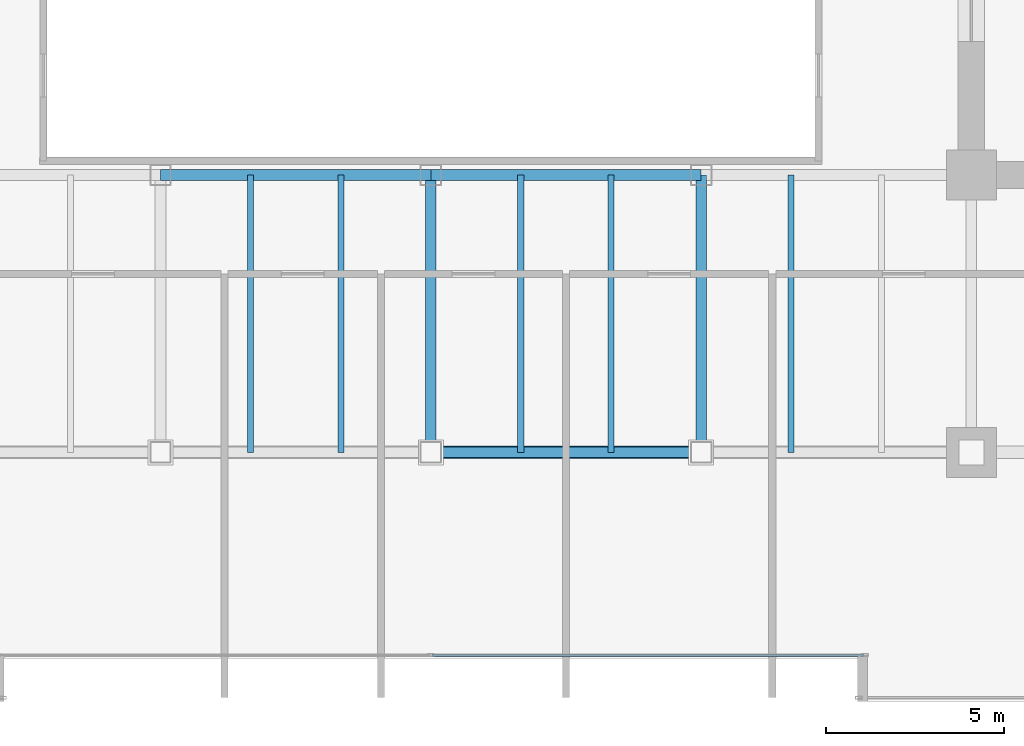
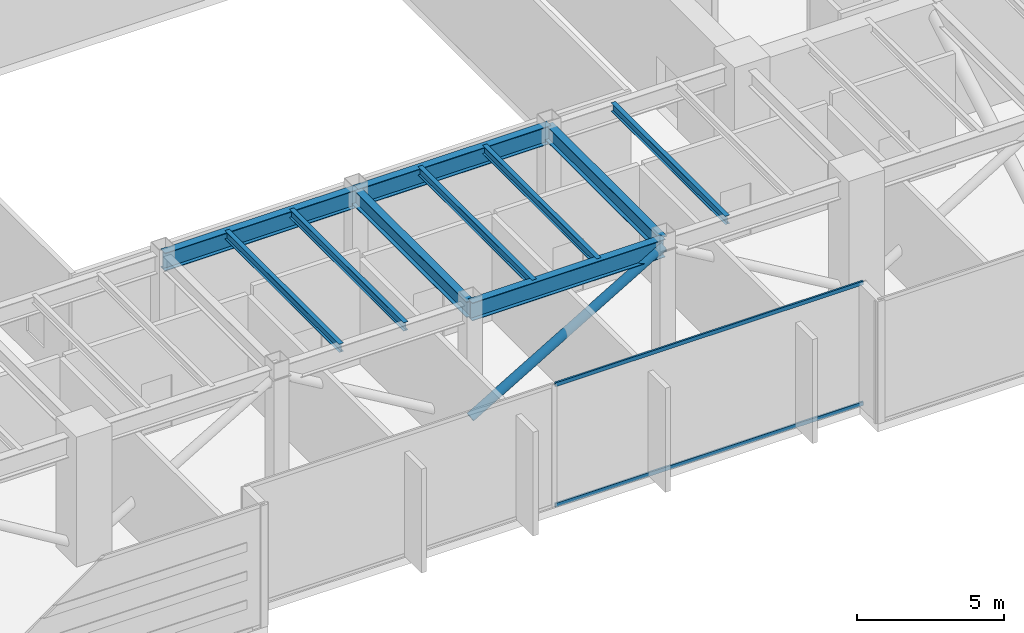
# One storey, part 9 of 38: 10 beams, 3 members, 1 element without a shape of its own.
"""IFC4 building model written with IfcOpenShell, lengths in metres."""

import ifcopenshell
import ifcopenshell.guid

model = None  # the IFC model being written
_history = None  # IfcOwnerHistory: only IFC2X3 demands one
_inside = {}  # id of a spatial element -> (the spatial element, [elements in it])
_under = {}  # id of a project, library or spatial element -> (it, [spatial elements below it])
_declared = {}  # id of a project -> (the project, [libraries it declares])
_typed = {}  # id of a type object -> (the type object, [elements of that type])
_made_of = {}  # id of a material, layer set ... -> (it, [elements and type objects made of it])


def new_model(schema):
    """Start an empty IFC model of exactly this schema.

    Asked for "IFC4X3", IfcOpenShell would pick the latest addendum, in which some entities
    have other attributes; the version numbers below select the first issue.
    IFC2X3 requires an IfcOwnerHistory on every rooted entity: one is made here for all.
    """
    global model, _history
    if schema == "IFC4X3":
        model = ifcopenshell.file(schema_version=(4, 3, 0, 0))
    else:
        model = ifcopenshell.file(schema=schema)
    _inside.clear()
    _under.clear()
    _declared.clear()
    _typed.clear()
    _made_of.clear()
    _history = None
    if model.schema == "IFC2X3":
        org = make("IfcOrganization", Name="unknown")
        user = make(
            "IfcPersonAndOrganization",
            ThePerson=make("IfcPerson", FamilyName="unknown"),
            TheOrganization=org,
        )
        app = make(
            "IfcApplication",
            ApplicationDeveloper=org,
            Version="unknown",
            ApplicationFullName="unknown",
            ApplicationIdentifier="unknown",
        )
        _history = make(
            "IfcOwnerHistory",
            OwningUser=user,
            OwningApplication=app,
            ChangeAction="ADDED",
            CreationDate=0,
        )
    return model


def make(cls, **values):
    """One entity of the class cls with the attributes given. An attribute that is None is left unset."""
    return model.create_entity(
        cls, **{name: value for name, value in values.items() if value is not None}
    )


def rooted(cls, **values):
    """An entity with a GlobalId (a new one), such as an element, a storey or a relation."""
    return make(cls, GlobalId=ifcopenshell.guid.new(), OwnerHistory=_history, **values)


def si_unit(unit_type, name, prefix=None):
    """IfcSIUnit, for example si_unit("LENGTHUNIT", "METRE", prefix="MILLI")."""
    return make("IfcSIUnit", UnitType=unit_type, Prefix=prefix, Name=name)


def assignment(units):
    """IfcUnitAssignment: the units of a project."""
    return None if units is None else make("IfcUnitAssignment", Units=units)


def point(xyz):
    """IfcCartesianPoint."""
    return None if xyz is None else make("IfcCartesianPoint", Coordinates=xyz)


def direction(xyz):
    """IfcDirection."""
    return None if xyz is None else make("IfcDirection", DirectionRatios=xyz)


def frame(location, z_axis=None, x_axis=None):
    """IfcAxis2Placement3D, a coordinate frame: its origin and axes. An axis left out is left unset."""
    return make(
        "IfcAxis2Placement3D",
        Location=point(location),
        Axis=direction(z_axis),
        RefDirection=direction(x_axis),
    )


def frame_2d(location, x_axis=None):
    """IfcAxis2Placement2D, a coordinate frame in the plane: its origin and x axis."""
    return make(
        "IfcAxis2Placement2D", Location=point(location), RefDirection=direction(x_axis)
    )


def origin():
    """The frame at (0, 0, 0) with its axes left unset."""
    return frame((0.0, 0.0, 0.0))


def origin_2d():
    """The frame at (0, 0) in the plane with its x axis left unset."""
    return frame_2d((0.0, 0.0))


def place(relative_to, where):
    """IfcLocalPlacement: puts the frame where relative to a parent placement (None: the world)."""
    return make(
        "IfcLocalPlacement", PlacementRelTo=relative_to, RelativePlacement=where
    )


def context(
    kind, dimensions, precision=None, world=None, true_north=None, identifier=None
):
    """IfcGeometricRepresentationContext, for example the 3D "Model" context."""
    return make(
        "IfcGeometricRepresentationContext",
        ContextIdentifier=identifier,
        ContextType=kind,
        CoordinateSpaceDimension=dimensions,
        Precision=precision,
        WorldCoordinateSystem=world,
        TrueNorth=true_north,
    )


def subcontext(parent, identifier, kind, view, scale=None):
    """IfcGeometricRepresentationSubContext, for example "Body" below "Model"."""
    return make(
        "IfcGeometricRepresentationSubContext",
        ContextIdentifier=identifier,
        ContextType=kind,
        ParentContext=parent,
        TargetScale=scale,
        TargetView=view,
    )


def project(units=None, contexts=None):
    """IfcProject with its units and contexts."""
    return rooted(
        "IfcProject",
        Name="project",
        RepresentationContexts=contexts,
        UnitsInContext=assignment(units),
    )


def spatial(cls, under=None, at=None, **own):
    """A site, building, storey or space (cls), placed at a placement, below another one or the project."""
    s = rooted(cls, ObjectPlacement=at, **own)
    if under is not None:
        _under.setdefault(under.id(), (under, []))[1].append(s)
    return s


def profile(cls, at=None, kind="AREA", **sizes):
    """A parametric profile (cls). Its sizes go by their IFC names, for example OverallWidth=200.0."""
    return make(cls, ProfileType=kind, Position=at, **sizes)


def hollow_rectangle(**sizes):
    """IfcRectangleHollowProfileDef."""
    return profile("IfcRectangleHollowProfileDef", **sizes)


def hollow_circle(**sizes):
    """IfcCircleHollowProfileDef."""
    return profile("IfcCircleHollowProfileDef", **sizes)


def i_section(**sizes):
    """IfcIShapeProfileDef."""
    return profile("IfcIShapeProfileDef", **sizes)


def extrude(swept, where, along, depth):
    """IfcExtrudedAreaSolid: the profile swept, set in the frame where, extruded along a direction by depth."""
    return make(
        "IfcExtrudedAreaSolid",
        SweptArea=swept,
        Position=where,
        ExtrudedDirection=direction(along),
        Depth=depth,
    )


def shape(context_of_items, identifier, shape_type, items):
    """IfcShapeRepresentation: the items that make up one representation, for example the "Body"."""
    return make(
        "IfcShapeRepresentation",
        ContextOfItems=context_of_items,
        RepresentationIdentifier=identifier,
        RepresentationType=shape_type,
        Items=items,
    )


def source(mapping_origin, context_of_items, identifier, shape_type, items):
    """IfcRepresentationMap: a shape defined once, which mapped items show again and again."""
    return make(
        "IfcRepresentationMap",
        MappingOrigin=mapping_origin,
        MappedRepresentation=shape(context_of_items, identifier, shape_type, items),
    )


def transform(
    local_origin,
    x_axis=None,
    y_axis=None,
    z_axis=None,
    scale=None,
    scale2=None,
    scale3=None,
    uniform=True,
):
    """IfcCartesianTransformationOperator3D, or its non-uniform kind. x_axis, y_axis, z_axis: its Axis1, 2, 3."""
    if uniform:
        return make(
            "IfcCartesianTransformationOperator3D",
            Axis1=direction(x_axis),
            Axis2=direction(y_axis),
            LocalOrigin=point(local_origin),
            Scale=scale,
            Axis3=direction(z_axis),
        )
    return make(
        "IfcCartesianTransformationOperator3DnonUniform",
        Axis1=direction(x_axis),
        Axis2=direction(y_axis),
        LocalOrigin=point(local_origin),
        Scale=scale,
        Axis3=direction(z_axis),
        Scale2=scale2,
        Scale3=scale3,
    )


def mapped(mapping_source, mapping_target):
    """IfcMappedItem: shows the shape of a source again, moved by a transform."""
    return make(
        "IfcMappedItem", MappingSource=mapping_source, MappingTarget=mapping_target
    )


def material(Name=None, Category=None):
    """IfcMaterial."""
    return make("IfcMaterial", Name=Name, Category=Category)


def layer(
    of_material, thickness, ventilated=None, Name=None, Category=None, Priority=None
):
    """IfcMaterialLayer: one layer of a wall or slab, of a material (None: an air gap)."""
    return make(
        "IfcMaterialLayer",
        Material=of_material,
        LayerThickness=thickness,
        IsVentilated=ventilated,
        Name=Name,
        Category=Category,
        Priority=Priority,
    )


def layer_set(layers, Name=None):
    """IfcMaterialLayerSet."""
    return make("IfcMaterialLayerSet", MaterialLayers=layers, LayerSetName=Name)


def material_profile(
    of_material, cross_section, Name=None, Category=None, Priority=None
):
    """IfcMaterialProfile: a cross section and its material."""
    return make(
        "IfcMaterialProfile",
        Name=Name,
        Material=of_material,
        Profile=cross_section,
        Priority=Priority,
        Category=Category,
    )


def profile_set(profiles, Name=None, composite=None):
    """IfcMaterialProfileSet."""
    return make(
        "IfcMaterialProfileSet",
        Name=Name,
        MaterialProfiles=profiles,
        CompositeProfile=composite,
    )


def made_of(thing, what):
    """Note that an element or type object is made of a material, layer set ...; save() writes the relation."""
    if what is not None:
        _made_of.setdefault(what.id(), (what, []))[1].append(thing)
    return thing


def type_object(cls, material=None, **own):
    """A type object (cls), such as IfcWallType, which elements share."""
    return made_of(rooted(cls, **own), material)


def type_shapes(of_type, sources):
    """Give a type object the sources (RepresentationMaps) that its elements show as mapped items."""
    of_type.RepresentationMaps = sources


def element(
    cls,
    number,
    at=None,
    inside=None,
    cuts=None,
    type_object=None,
    material=None,
    context=None,
    identifier="Body",
    shape_type=None,
    held_by="IfcProductDefinitionShape",
    body=None,
    shapes=None,
    **own,
):
    """One element of the class cls, such as IfcWall. Its Tag is "e" and its number.

    at: its placement. inside: the storey or other place that contains it. cuts: it is an
    opening in that element (IfcRelVoidsElement). A single representation is given by context,
    identifier, shape_type and body (its items); several are given by shapes. held_by: the class
    of the entity that holds the representations. save() writes the other relations.
    """
    e = rooted(cls, Tag="e%d" % number, ObjectPlacement=at, **own)
    if body is not None:
        shapes = [shape(context, identifier, shape_type, body)]
    if shapes is not None:
        e.Representation = make(held_by, Representations=shapes)
    if inside is not None:
        _inside.setdefault(inside.id(), (inside, []))[1].append(e)
    if cuts is not None:
        rooted(
            "IfcRelVoidsElement", RelatingBuildingElement=cuts, RelatedOpeningElement=e
        )
    if type_object is not None:
        _typed.setdefault(type_object.id(), (type_object, []))[1].append(e)
    return made_of(e, material)


def aggregate(whole, parts):
    """IfcRelAggregates: a whole, such as a stair, and the parts it consists of."""
    return rooted("IfcRelAggregates", RelatingObject=whole, RelatedObjects=parts)


def save(model, path):
    """Write the relations noted so far, then the file.

    IfcRelAggregates (storeys below a building ...), IfcRelContainedInSpatialStructure (elements
    in a storey), IfcRelDefinesByType, IfcRelAssociatesMaterial and IfcRelDeclares: one each for
    every whole, place, type object, material and project.
    """
    for whole, parts in _under.values():
        aggregate(whole, parts)
    for where, things in _inside.values():
        rooted(
            "IfcRelContainedInSpatialStructure",
            RelatedElements=things,
            RelatingStructure=where,
        )
    for kind, things in _typed.values():
        rooted("IfcRelDefinesByType", RelatedObjects=things, RelatingType=kind)
    for what, things in _made_of.values():
        rooted("IfcRelAssociatesMaterial", RelatedObjects=things, RelatingMaterial=what)
    for by, libraries in _declared.values():
        rooted("IfcRelDeclares", RelatingContext=by, RelatedDefinitions=libraries)
    model.write(path)


model = new_model("IFC4")

# Units and contexts
model_context = context("Model", 3, precision=1e-05, world=origin(), true_north=direction((0.0, 1.0)))
body_context = subcontext(model_context, "Body", "Model", "MODEL_VIEW")
ifc_project = project(units=[si_unit("LENGTHUNIT", "METRE"), si_unit("AREAUNIT", "SQUARE_METRE"), si_unit("VOLUMEUNIT", "CUBIC_METRE"), si_unit("PLANEANGLEUNIT", "RADIAN"), si_unit("MASSUNIT", "GRAM", prefix="KILO")], contexts=[model_context])

# Site, building, storey
site_placement = place(None, origin())
site = spatial("IfcSite", under=ifc_project, at=site_placement, CompositionType="ELEMENT")
building_placement = place(site_placement, origin())
building = spatial("IfcBuilding", under=site, at=building_placement, Name="Haelvirn Gate Laboratories", CompositionType="ELEMENT")
storey_placement = place(building_placement, frame((0.0, 0.0, 94.89990234375)))
storey = spatial("IfcBuildingStorey", under=building, at=storey_placement, Name="L23", CompositionType="ELEMENT", Elevation=94.89990234375)

# Beams
ifc_material_1 = material(Name="Steel SM355", Category="steel")
ifc_material_profile_1 = material_profile(ifc_material_1, i_section(OverallWidth=0.300048828125, OverallDepth=0.75, WebThickness=0.013916015625, FlangeThickness=0.02392578125, at=origin_2d()), Name="H-750x300x14x24")
ifc_profile_set_1 = profile_set([ifc_material_profile_1], Name="Steel SM355")
beam_type_1 = type_object("IfcBeamType", Name="BM-G-750", PredefinedType="BEAM", material=ifc_profile_set_1)
shared_shape_1 = source(origin(), body_context, "Body", "SweptSolid", [
    extrude(i_section(OverallWidth=0.300048828125, OverallDepth=0.75, WebThickness=0.013916015625, FlangeThickness=0.02392578125, at=origin_2d()), origin(), (0.0, 0.0, 1.0), 7.60009765625),
])
for number, where, z_axis, x_axis, name in (
    (1, (37.39990234375, 7.0, 4.715087890625), (1.0, 0.0, 0.0), (0.0, 1.0, 0.0), "L23 Primary Girder Y7.0 (37.4-45.0)"),
    (2, (37.39990234375, 14.800048828125, 4.715087890625), (1.0, 0.0, 0.0), (0.0, 1.0, 0.0), "L23 Primary Girder Y14.8 (37.4-45.0)"),
):
    element("IfcBeam", number, at=place(storey_placement, frame(where, z_axis=z_axis, x_axis=x_axis)), inside=storey, type_object=beam_type_1, Name=name, PredefinedType="BEAM", context=body_context, shape_type="MappedRepresentation", body=[
        mapped(shared_shape_1, transform((0.0, 0.0, 0.0), scale=1.0)),
    ])
shared_shape_2 = source(origin(), body_context, "Body", "SweptSolid", [
    extrude(i_section(OverallWidth=0.300048828125, OverallDepth=0.75, WebThickness=0.013916015625, FlangeThickness=0.02392578125, at=origin_2d()), origin(), (0.0, 0.0, 1.0), 7.599853515625),
])
type_shapes(beam_type_1, [shared_shape_1, shared_shape_2])
beam_placement = place(storey_placement, frame((29.800048828125, 14.800048828125, 4.715087890625), z_axis=(1.0, 0.0, 0.0), x_axis=(0.0, 1.0, 0.0)))
element("IfcBeam", 3, at=beam_placement, inside=storey, type_object=beam_type_1, Name="L23 Primary Girder Y14.8 (29.8-37.4)", PredefinedType="BEAM", context=body_context, shape_type="MappedRepresentation", body=[
    mapped(shared_shape_2, transform((0.0, 0.0, 0.0), scale=1.0)),
])
ifc_material_profile_2 = material_profile(ifc_material_1, i_section(OverallWidth=0.175048828125, OverallDepth=0.35009765625, WebThickness=0.007080078125, FlangeThickness=0.010986328125, at=origin_2d()), Name="H-350x175x7x11")
ifc_profile_set_2 = profile_set([ifc_material_profile_2], Name="Steel SM355")
beam_type_2 = type_object("IfcBeamType", Name="BM-J-350", PredefinedType="JOIST", material=ifc_profile_set_2)
shared_shape_3 = source(origin(), body_context, "Body", "SweptSolid", [
    extrude(i_section(OverallWidth=0.175048828125, OverallDepth=0.35009765625, WebThickness=0.007080078125, FlangeThickness=0.010986328125, at=origin_2d()), origin(), (0.0, 0.0, 1.0), 7.800048828125),
])
type_shapes(beam_type_2, [shared_shape_3])
for number, where, z_axis, x_axis, name in (
    (4, (32.330078125, 7.0, 4.9150390625), (0.0, 1.0, 0.0), (-1.0, 0.0, 0.0), "L23 Composite Lab Joist South X32.33"),
    (5, (34.8701171875, 7.0, 4.9150390625), (0.0, 1.0, 0.0), (-1.0, 0.0, 0.0), "L23 Composite Lab Joist South X34.87"),
    (6, (39.929931640625, 7.0, 4.9150390625), (0.0, 1.0, 0.0), (-1.0, 0.0, 0.0), "L23 Composite Lab Joist South X39.93"),
    (7, (42.469970703125, 7.0, 4.9150390625), (0.0, 1.0, 0.0), (-1.0, 0.0, 0.0), "L23 Composite Lab Joist South X42.47"),
    (8, (47.530029296875, 7.0, 4.9150390625), (0.0, 1.0, 0.0), (-1.0, 0.0, 0.0), "L23 Composite Lab Joist South X47.53"),
):
    element("IfcBeam", number, at=place(storey_placement, frame(where, z_axis=z_axis, x_axis=x_axis)), inside=storey, type_object=beam_type_2, Name=name, PredefinedType="JOIST", context=body_context, shape_type="MappedRepresentation", body=[
        mapped(shared_shape_3, transform((0.0, 0.0, 0.0), scale=1.0)),
    ])
ifc_material_profile_3 = material_profile(ifc_material_1, i_section(OverallWidth=0.300048828125, OverallDepth=0.64990234375, WebThickness=0.012939453125, FlangeThickness=0.02197265625, at=origin_2d()), Name="H-650x300x13x22")
ifc_profile_set_3 = profile_set([ifc_material_profile_3], Name="Steel SM355")
beam_type_3 = type_object("IfcBeamType", Name="BM-G-650", PredefinedType="BEAM", material=ifc_profile_set_3)
shared_shape_4 = source(origin(), body_context, "Body", "SweptSolid", [
    extrude(i_section(OverallWidth=0.300048828125, OverallDepth=0.64990234375, WebThickness=0.012939453125, FlangeThickness=0.02197265625, at=origin_2d()), origin(), (0.0, 0.0, 1.0), 7.800048828125),
])
type_shapes(beam_type_3, [shared_shape_4])
for number, where, z_axis, x_axis, name in (
    (9, (37.39990234375, 7.0, 4.76513671875), (0.0, 1.0, 0.0), (-1.0, 0.0, 0.0), "L23 Frame Girder X37.4 (7.0-14.8)"),
    (10, (45.0, 7.0, 4.76513671875), (0.0, 1.0, 0.0), (-1.0, 0.0, 0.0), "L23 Frame Girder X45.0 (7.0-14.8)"),
):
    element("IfcBeam", number, at=place(storey_placement, frame(where, z_axis=z_axis, x_axis=x_axis)), inside=storey, type_object=beam_type_3, Name=name, PredefinedType="BEAM", context=body_context, shape_type="MappedRepresentation", body=[
        mapped(shared_shape_4, transform((0.0, 0.0, 0.0), scale=1.0)),
    ])

# Member
ifc_material_profile_4 = material_profile(ifc_material_1, hollow_circle(Radius=0.177734375, WallThickness=0.013916015625, at=origin_2d()), Name="CHS-355x14")
ifc_profile_set_4 = profile_set([ifc_material_profile_4], Name="Steel SM355")
member_type_1 = type_object("IfcMemberType", Name="MEM-BELT-1", PredefinedType="STRUT", material=ifc_profile_set_4)
shared_shape_5 = source(origin(), body_context, "Body", "SweptSolid", [
    extrude(hollow_circle(Radius=0.177734375, WallThickness=0.013916015625, at=origin_2d()), origin(), (0.0, 0.0, 1.0), 8.827392578125),
])
type_shapes(member_type_1, [shared_shape_5])
member_1_placement = place(storey_placement, frame((37.39990234375, 7.0, 0.25), z_axis=(0.860974977709, 0.0, 0.508647311759), x_axis=(0.0, 1.0, 0.0)))
element("IfcMember", 11, at=member_1_placement, inside=storey, type_object=member_type_1, Name="L23 Perimeter Belt Truss S5", PredefinedType="STRUT", context=body_context, shape_type="MappedRepresentation", body=[
    mapped(shared_shape_5, transform((0.0, 0.0, 0.0), scale=1.0)),
])

# Curtain wall, members
ifc_material_2 = material(Name="Anodised bronze unitised aluminium & triple low-E glass", Category="aluminium")
ifc_layer = layer(ifc_material_2, 0.18408203125, Name="CW-SYS-2")
ifc_layer_set = layer_set([ifc_layer], Name="Anodised bronze unitised aluminium & triple low-E glass")
curtain_wall_type = type_object("IfcCurtainWallType", Name="CW-SYS-2", PredefinedType="NOTDEFINED", material=ifc_layer_set)
curtain_wall_placement = place(storey_placement, origin())
curtain_wall = element("IfcCurtainWall", 12, at=curtain_wall_placement, inside=storey, type_object=curtain_wall_type, Name="L23 Unitised Curtain Wall CW-L23-P0-E02-1", PredefinedType="NOTDEFINED")
ifc_material_3 = material(Name="Extruded aluminium 6063-T6 (anodised bronze)", Category="aluminium")
ifc_material_profile_5 = material_profile(ifc_material_3, hollow_rectangle(XDim=0.070068359375, YDim=0.159912109375, WallThickness=0.0048828125, at=origin_2d()), Name="CWT-160x70x5")
ifc_profile_set_5 = profile_set([ifc_material_profile_5], Name="Extruded aluminium 6063-T6 (anodised bronze)")
member_type_2 = type_object("IfcMemberType", Name="CWT-T160", PredefinedType="USERDEFINED", material=ifc_profile_set_5)
shared_shape_6 = source(origin(), body_context, "Body", "SweptSolid", [
    extrude(hollow_rectangle(XDim=0.070068359375, YDim=0.159912109375, WallThickness=0.0048828125, at=origin_2d()), origin(), (0.0, 0.0, 1.0), 12.12744140625),
])
type_shapes(member_type_2, [shared_shape_6])
member_2_placement = place(storey_placement, frame((37.4375, 1.300048828125, 0.03515625), z_axis=(1.0, 0.0, 0.0), x_axis=(0.0, 1.0, 0.0)))
member_2 = element("IfcMember", 13, at=member_2_placement, type_object=member_type_2, Name="CW2 transom 2.1", ObjectType="TRANSOM", PredefinedType="USERDEFINED", context=body_context, shape_type="MappedRepresentation", body=[
    mapped(shared_shape_6, transform((0.0, 0.0, 0.0), scale=1.0)),
])
member_3_placement = place(storey_placement, frame((37.4375, 1.300048828125, 5.05517578125), z_axis=(1.0, 0.0, 0.0), x_axis=(0.0, 1.0, 0.0)))
member_3 = element("IfcMember", 14, at=member_3_placement, type_object=member_type_2, Name="CW2 transom 2.2", ObjectType="TRANSOM", PredefinedType="USERDEFINED", context=body_context, shape_type="MappedRepresentation", body=[
    mapped(shared_shape_6, transform((0.0, 0.0, 0.0), scale=1.0)),
])
aggregate(curtain_wall, [member_2, member_3])

save(model, "model.ifc")
